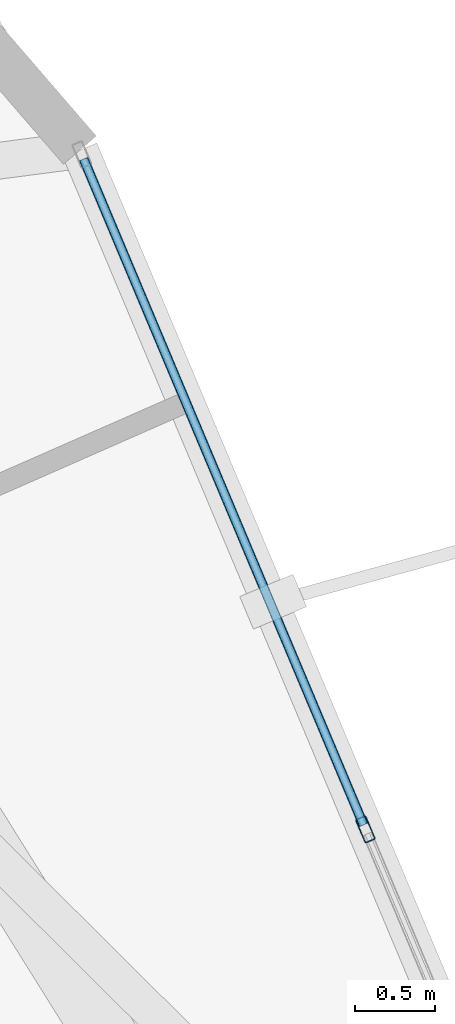
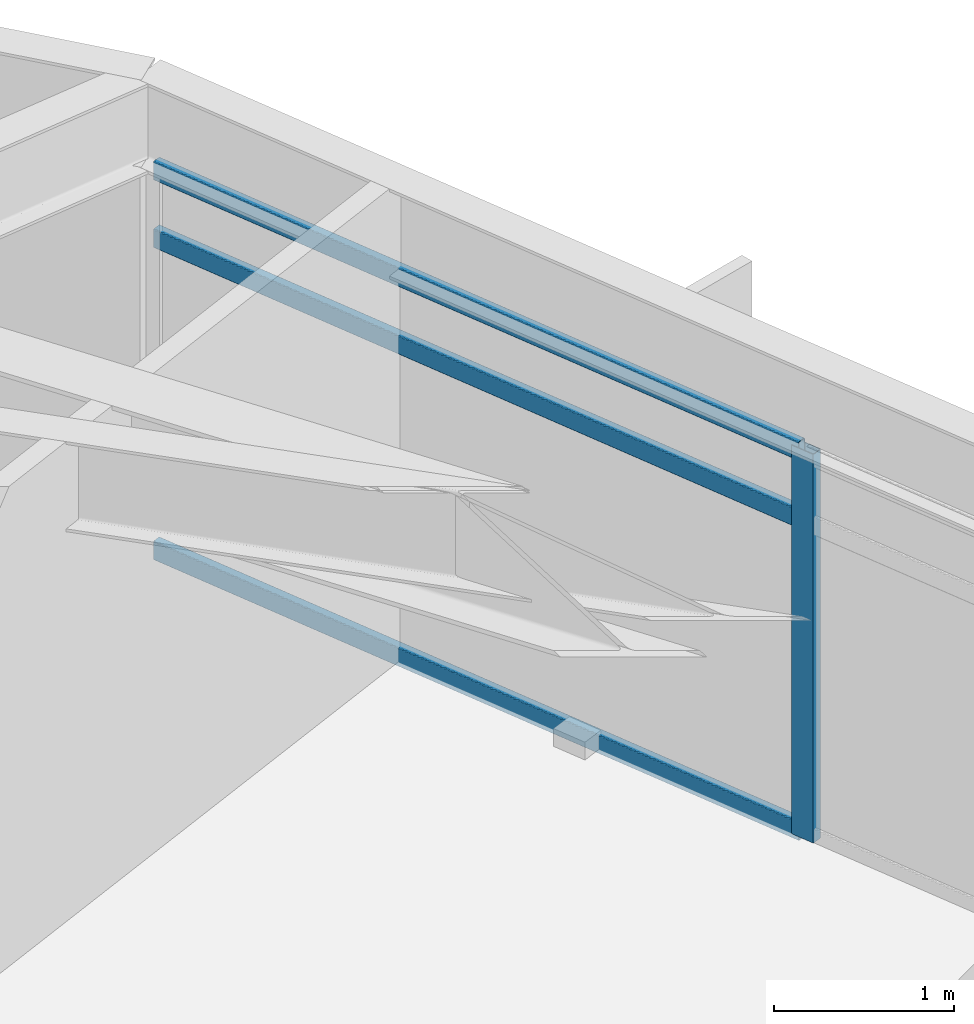
# One storey, part 14 of 27: 4 members, 1 element without a shape of its own.
"""IFC4 building model written with IfcOpenShell, lengths in metres."""

from ifc_helpers import new_model, si_unit, direction, frame, origin, origin_2d, place, context, subcontext, project, spatial, hollow_rectangle, extrude, material, layer, layer_set, material_profile, profile_set, type_object, element, aggregate, save


model = new_model("IFC4")

# Units and contexts
model_context = context("Model", 3, precision=1e-05, world=origin(), true_north=direction((0.0, 1.0)))
body_context = subcontext(model_context, "Body", "Model", "MODEL_VIEW")
ifc_project = project(units=[si_unit("LENGTHUNIT", "METRE"), si_unit("AREAUNIT", "SQUARE_METRE"), si_unit("VOLUMEUNIT", "CUBIC_METRE"), si_unit("PLANEANGLEUNIT", "RADIAN"), si_unit("MASSUNIT", "GRAM", prefix="KILO")], contexts=[model_context])

# Site, building, storey
site_placement = place(None, origin())
site = spatial("IfcSite", under=ifc_project, at=site_placement, CompositionType="ELEMENT")
building_placement = place(site_placement, origin())
building = spatial("IfcBuilding", under=site, at=building_placement, Name="Soratama Intermodal Tower", CompositionType="ELEMENT")
storey_placement = place(building_placement, frame((0.0, 0.0, 182.199951171875)))
storey = spatial("IfcBuildingStorey", under=building, at=storey_placement, Name="L45", CompositionType="ELEMENT", Elevation=182.199951171875)

# Curtain wall, members
ifc_material_1 = material(Name="Double-glazed aluminium curtain wall", Category="aluminium")
ifc_layer = layer(ifc_material_1, 0.159912109375)
ifc_layer_set = layer_set([ifc_layer], Name="Double-glazed aluminium curtain wall")
curtain_wall_type = type_object("IfcCurtainWallType", Name="CW-SYS-4", PredefinedType="NOTDEFINED", material=ifc_layer_set)
curtain_wall_placement = place(storey_placement, origin())
curtain_wall = element("IfcCurtainWall", 1, at=curtain_wall_placement, inside=storey, type_object=curtain_wall_type, Name="L45 Faceted Curtain Wall F10", PredefinedType="NOTDEFINED")
ifc_material_2 = material(Name="Anodised aluminium AA 6063-T6", Category="aluminium")
ifc_material_profile_1 = material_profile(ifc_material_2, hollow_rectangle(XDim=0.070068359375, YDim=0.159912109375, WallThickness=0.0048828125, InnerFilletRadius=0.0048828125, OuterFilletRadius=0.010009765625, at=origin_2d()), Name="CWM160X70X5")
ifc_profile_set_1 = profile_set([ifc_material_profile_1], Name="Anodised aluminium AA 6063-T6")
member_type_1 = type_object("IfcMemberType", Name="MT-CWM-4", PredefinedType="MULLION", material=ifc_profile_set_1)
member_1_placement = place(storey_placement, frame((62.459228515625, 32.339111328125, 0.0), z_axis=(0.0, 0.0, 1.0), x_axis=(-0.921860983025, -0.387520745221, 0.0)))
member_1 = element("IfcMember", 2, at=member_1_placement, type_object=member_type_1, Name="CW-4 mullion 2", PredefinedType="MULLION", context=body_context, shape_type="SweptSolid", body=[
    extrude(hollow_rectangle(XDim=0.070068359375, YDim=0.159912109375, WallThickness=0.0048828125, InnerFilletRadius=0.0048828125, OuterFilletRadius=0.010009765625, at=origin_2d()), origin(), (0.0, 0.0, 1.0), 2.63916015625),
])
ifc_material_3 = material(Name="Anodised aluminium AA 6063-T6", Category="aluminium")
ifc_material_profile_2 = material_profile(ifc_material_3, hollow_rectangle(XDim=0.06005859375, YDim=0.1298828125, WallThickness=0.0048828125, InnerFilletRadius=0.0048828125, OuterFilletRadius=0.010009765625, at=origin_2d()), Name="CWT130X60X5")
ifc_profile_set_2 = profile_set([ifc_material_profile_2], Name="Anodised aluminium AA 6063-T6")
member_type_2 = type_object("IfcMemberType", Name="TT-CWT-2", PredefinedType="USERDEFINED", material=ifc_profile_set_2)
member_2_placement = place(storey_placement, frame((62.447509765625, 32.366943359375, 0.030029296875), z_axis=(-0.387511693412, 0.921864788062, 0.0), x_axis=(-0.921864788062, -0.387511693412, 0.0)))
member_2 = element("IfcMember", 3, at=member_2_placement, type_object=member_type_2, Name="CW-4 transom 2.1", ObjectType="TRANSOM", PredefinedType="USERDEFINED", context=body_context, shape_type="SweptSolid", body=[
    extrude(hollow_rectangle(XDim=0.06005859375, YDim=0.1298828125, WallThickness=0.0048828125, InnerFilletRadius=0.0048828125, OuterFilletRadius=0.010009765625, at=origin_2d()), origin(), (0.0, 0.0, 1.0), 4.50390625),
])
member_3_placement = place(storey_placement, frame((62.447509765625, 32.366943359375, 2.150146484375), z_axis=(-0.387511693412, 0.921864788062, 0.0), x_axis=(-0.921864788062, -0.387511693412, 0.0)))
member_3 = element("IfcMember", 4, at=member_3_placement, type_object=member_type_2, Name="CW-4 transom 2.2", ObjectType="TRANSOM", PredefinedType="USERDEFINED", context=body_context, shape_type="SweptSolid", body=[
    extrude(hollow_rectangle(XDim=0.06005859375, YDim=0.1298828125, WallThickness=0.0048828125, InnerFilletRadius=0.0048828125, OuterFilletRadius=0.010009765625, at=origin_2d()), origin(), (0.0, 0.0, 1.0), 4.50390625),
])
member_4_placement = place(storey_placement, frame((62.447509765625, 32.366943359375, 2.609130859375), z_axis=(-0.387511693412, 0.921864788062, 0.0), x_axis=(-0.921864788062, -0.387511693412, 0.0)))
member_4 = element("IfcMember", 5, at=member_4_placement, type_object=member_type_2, Name="CW-4 transom 2.3", ObjectType="TRANSOM", PredefinedType="USERDEFINED", context=body_context, shape_type="SweptSolid", body=[
    extrude(hollow_rectangle(XDim=0.06005859375, YDim=0.1298828125, WallThickness=0.0048828125, InnerFilletRadius=0.0048828125, OuterFilletRadius=0.010009765625, at=origin_2d()), origin(), (0.0, 0.0, 1.0), 4.50390625),
])
aggregate(curtain_wall, [member_1, member_2, member_3, member_4])

save(model, "model.ifc")
